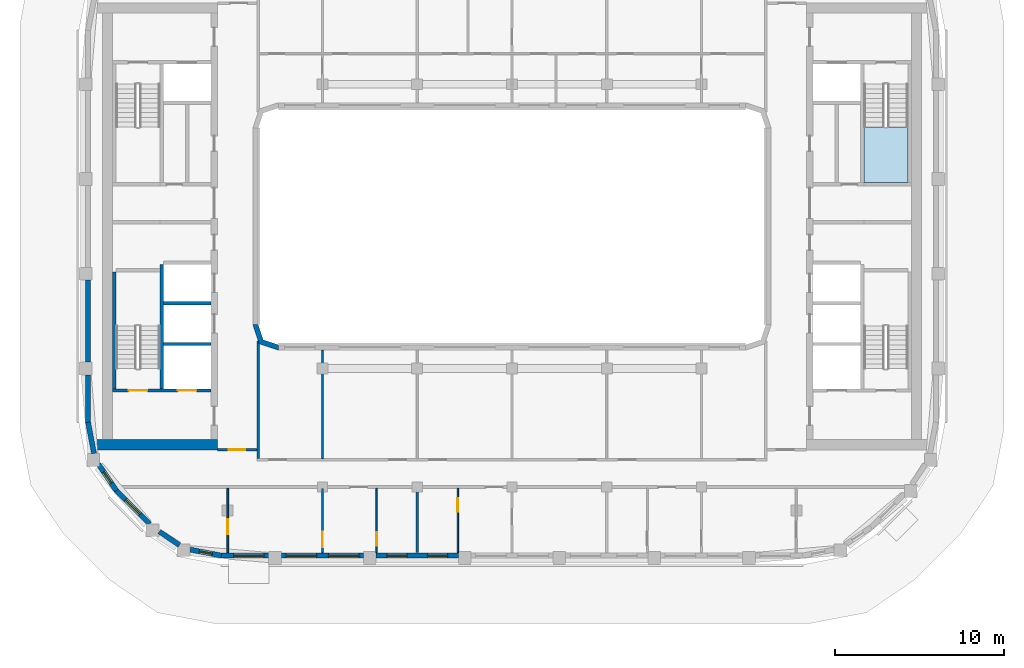
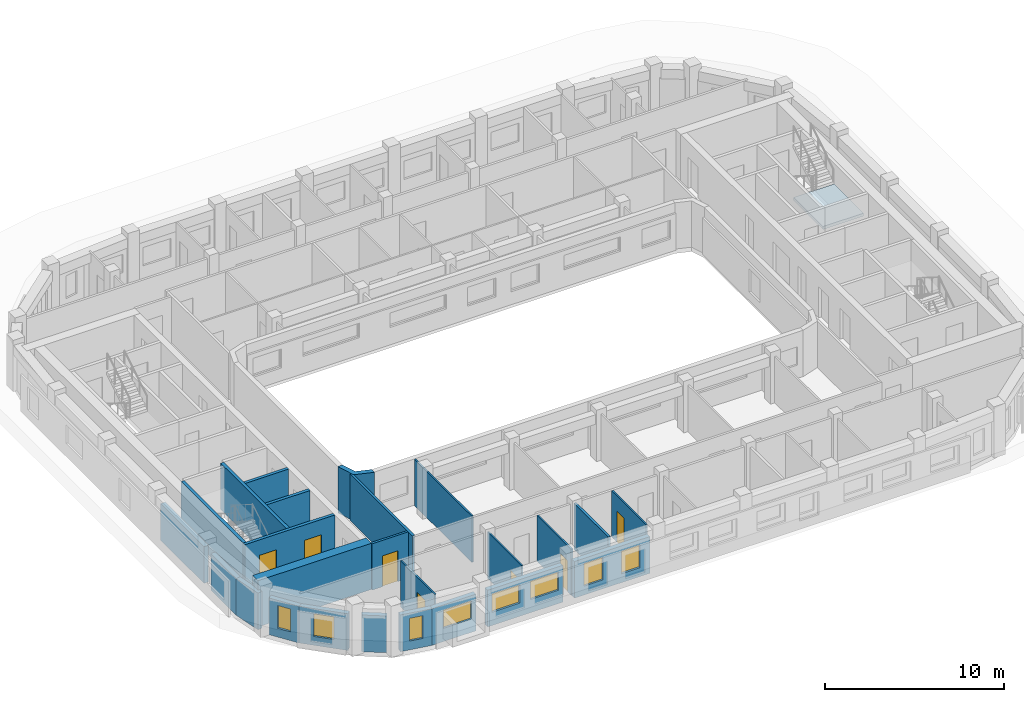
# One storey, part 2 of 14: 25 walls, 8 windows, 7 doors, 1 slab, 15 openings, 1 element without a shape of its own.
"""IFC4 building model written with IfcOpenShell, lengths in metres."""

import ifcopenshell
import ifcopenshell.guid

model = None  # the IFC model being written
_history = None  # IfcOwnerHistory: only IFC2X3 demands one
_inside = {}  # id of a spatial element -> (the spatial element, [elements in it])
_under = {}  # id of a project, library or spatial element -> (it, [spatial elements below it])
_declared = {}  # id of a project -> (the project, [libraries it declares])
_typed = {}  # id of a type object -> (the type object, [elements of that type])
_made_of = {}  # id of a material, layer set ... -> (it, [elements and type objects made of it])


def new_model(schema):
    """Start an empty IFC model of exactly this schema.

    Asked for "IFC4X3", IfcOpenShell would pick the latest addendum, in which some entities
    have other attributes; the version numbers below select the first issue.
    IFC2X3 requires an IfcOwnerHistory on every rooted entity: one is made here for all.
    """
    global model, _history
    if schema == "IFC4X3":
        model = ifcopenshell.file(schema_version=(4, 3, 0, 0))
    else:
        model = ifcopenshell.file(schema=schema)
    _inside.clear()
    _under.clear()
    _declared.clear()
    _typed.clear()
    _made_of.clear()
    _history = None
    if model.schema == "IFC2X3":
        org = make("IfcOrganization", Name="unknown")
        user = make(
            "IfcPersonAndOrganization",
            ThePerson=make("IfcPerson", FamilyName="unknown"),
            TheOrganization=org,
        )
        app = make(
            "IfcApplication",
            ApplicationDeveloper=org,
            Version="unknown",
            ApplicationFullName="unknown",
            ApplicationIdentifier="unknown",
        )
        _history = make(
            "IfcOwnerHistory",
            OwningUser=user,
            OwningApplication=app,
            ChangeAction="ADDED",
            CreationDate=0,
        )
    return model


def make(cls, **values):
    """One entity of the class cls with the attributes given. An attribute that is None is left unset."""
    return model.create_entity(
        cls, **{name: value for name, value in values.items() if value is not None}
    )


def rooted(cls, **values):
    """An entity with a GlobalId (a new one), such as an element, a storey or a relation."""
    return make(cls, GlobalId=ifcopenshell.guid.new(), OwnerHistory=_history, **values)


def si_unit(unit_type, name, prefix=None):
    """IfcSIUnit, for example si_unit("LENGTHUNIT", "METRE", prefix="MILLI")."""
    return make("IfcSIUnit", UnitType=unit_type, Prefix=prefix, Name=name)


def assignment(units):
    """IfcUnitAssignment: the units of a project."""
    return None if units is None else make("IfcUnitAssignment", Units=units)


def point(xyz):
    """IfcCartesianPoint."""
    return None if xyz is None else make("IfcCartesianPoint", Coordinates=xyz)


def direction(xyz):
    """IfcDirection."""
    return None if xyz is None else make("IfcDirection", DirectionRatios=xyz)


def frame(location, z_axis=None, x_axis=None):
    """IfcAxis2Placement3D, a coordinate frame: its origin and axes. An axis left out is left unset."""
    return make(
        "IfcAxis2Placement3D",
        Location=point(location),
        Axis=direction(z_axis),
        RefDirection=direction(x_axis),
    )


def frame_2d(location, x_axis=None):
    """IfcAxis2Placement2D, a coordinate frame in the plane: its origin and x axis."""
    return make(
        "IfcAxis2Placement2D", Location=point(location), RefDirection=direction(x_axis)
    )


def origin():
    """The frame at (0, 0, 0) with its axes left unset."""
    return frame((0.0, 0.0, 0.0))


def place(relative_to, where):
    """IfcLocalPlacement: puts the frame where relative to a parent placement (None: the world)."""
    return make(
        "IfcLocalPlacement", PlacementRelTo=relative_to, RelativePlacement=where
    )


def context(
    kind, dimensions, precision=None, world=None, true_north=None, identifier=None
):
    """IfcGeometricRepresentationContext, for example the 3D "Model" context."""
    return make(
        "IfcGeometricRepresentationContext",
        ContextIdentifier=identifier,
        ContextType=kind,
        CoordinateSpaceDimension=dimensions,
        Precision=precision,
        WorldCoordinateSystem=world,
        TrueNorth=true_north,
    )


def subcontext(parent, identifier, kind, view, scale=None):
    """IfcGeometricRepresentationSubContext, for example "Body" below "Model"."""
    return make(
        "IfcGeometricRepresentationSubContext",
        ContextIdentifier=identifier,
        ContextType=kind,
        ParentContext=parent,
        TargetScale=scale,
        TargetView=view,
    )


def project(units=None, contexts=None):
    """IfcProject with its units and contexts."""
    return rooted(
        "IfcProject",
        Name="project",
        RepresentationContexts=contexts,
        UnitsInContext=assignment(units),
    )


def spatial(cls, under=None, at=None, **own):
    """A site, building, storey or space (cls), placed at a placement, below another one or the project."""
    s = rooted(cls, ObjectPlacement=at, **own)
    if under is not None:
        _under.setdefault(under.id(), (under, []))[1].append(s)
    return s


def polyline(points):
    """IfcPolyline through the points."""
    return make("IfcPolyline", Points=[point(p) for p in points])


def profile(cls, at=None, kind="AREA", **sizes):
    """A parametric profile (cls). Its sizes go by their IFC names, for example OverallWidth=200.0."""
    return make(cls, ProfileType=kind, Position=at, **sizes)


def rectangle(**sizes):
    """IfcRectangleProfileDef."""
    return profile("IfcRectangleProfileDef", **sizes)


def outline(outer, holes=None, kind="AREA"):
    """IfcArbitraryClosedProfileDef: a profile drawn as a closed curve; with holes, ...WithVoids."""
    if holes is None:
        return make("IfcArbitraryClosedProfileDef", ProfileType=kind, OuterCurve=outer)
    return make(
        "IfcArbitraryProfileDefWithVoids",
        ProfileType=kind,
        OuterCurve=outer,
        InnerCurves=holes,
    )


def extrude(swept, where, along, depth):
    """IfcExtrudedAreaSolid: the profile swept, set in the frame where, extruded along a direction by depth."""
    return make(
        "IfcExtrudedAreaSolid",
        SweptArea=swept,
        Position=where,
        ExtrudedDirection=direction(along),
        Depth=depth,
    )


def shape(context_of_items, identifier, shape_type, items):
    """IfcShapeRepresentation: the items that make up one representation, for example the "Body"."""
    return make(
        "IfcShapeRepresentation",
        ContextOfItems=context_of_items,
        RepresentationIdentifier=identifier,
        RepresentationType=shape_type,
        Items=items,
    )


def material(Name=None, Category=None):
    """IfcMaterial."""
    return make("IfcMaterial", Name=Name, Category=Category)


def layer(
    of_material, thickness, ventilated=None, Name=None, Category=None, Priority=None
):
    """IfcMaterialLayer: one layer of a wall or slab, of a material (None: an air gap)."""
    return make(
        "IfcMaterialLayer",
        Material=of_material,
        LayerThickness=thickness,
        IsVentilated=ventilated,
        Name=Name,
        Category=Category,
        Priority=Priority,
    )


def layer_set(layers, Name=None):
    """IfcMaterialLayerSet."""
    return make("IfcMaterialLayerSet", MaterialLayers=layers, LayerSetName=Name)


def made_of(thing, what):
    """Note that an element or type object is made of a material, layer set ...; save() writes the relation."""
    if what is not None:
        _made_of.setdefault(what.id(), (what, []))[1].append(thing)
    return thing


def type_object(cls, material=None, **own):
    """A type object (cls), such as IfcWallType, which elements share."""
    return made_of(rooted(cls, **own), material)


def element(
    cls,
    number,
    at=None,
    inside=None,
    cuts=None,
    type_object=None,
    material=None,
    context=None,
    identifier="Body",
    shape_type=None,
    held_by="IfcProductDefinitionShape",
    body=None,
    shapes=None,
    **own,
):
    """One element of the class cls, such as IfcWall. Its Tag is "e" and its number.

    at: its placement. inside: the storey or other place that contains it. cuts: it is an
    opening in that element (IfcRelVoidsElement). A single representation is given by context,
    identifier, shape_type and body (its items); several are given by shapes. held_by: the class
    of the entity that holds the representations. save() writes the other relations.
    """
    e = rooted(cls, Tag="e%d" % number, ObjectPlacement=at, **own)
    if body is not None:
        shapes = [shape(context, identifier, shape_type, body)]
    if shapes is not None:
        e.Representation = make(held_by, Representations=shapes)
    if inside is not None:
        _inside.setdefault(inside.id(), (inside, []))[1].append(e)
    if cuts is not None:
        rooted(
            "IfcRelVoidsElement", RelatingBuildingElement=cuts, RelatedOpeningElement=e
        )
    if type_object is not None:
        _typed.setdefault(type_object.id(), (type_object, []))[1].append(e)
    return made_of(e, material)


def fill(opening, filler):
    """IfcRelFillsElement: the door or window that sits in an opening."""
    return rooted(
        "IfcRelFillsElement",
        RelatingOpeningElement=opening,
        RelatedBuildingElement=filler,
    )


def aggregate(whole, parts):
    """IfcRelAggregates: a whole, such as a stair, and the parts it consists of."""
    return rooted("IfcRelAggregates", RelatingObject=whole, RelatedObjects=parts)


def save(model, path):
    """Write the relations noted so far, then the file.

    IfcRelAggregates (storeys below a building ...), IfcRelContainedInSpatialStructure (elements
    in a storey), IfcRelDefinesByType, IfcRelAssociatesMaterial and IfcRelDeclares: one each for
    every whole, place, type object, material and project.
    """
    for whole, parts in _under.values():
        aggregate(whole, parts)
    for where, things in _inside.values():
        rooted(
            "IfcRelContainedInSpatialStructure",
            RelatedElements=things,
            RelatingStructure=where,
        )
    for kind, things in _typed.values():
        rooted("IfcRelDefinesByType", RelatedObjects=things, RelatingType=kind)
    for what, things in _made_of.values():
        rooted("IfcRelAssociatesMaterial", RelatedObjects=things, RelatingMaterial=what)
    for by, libraries in _declared.values():
        rooted("IfcRelDeclares", RelatingContext=by, RelatedDefinitions=libraries)
    model.write(path)


model = new_model("IFC4")

# Units and contexts
model_context = context("Model", 3, precision=1e-05, world=origin(), true_north=direction((0.0, 1.0)))
body_context = subcontext(model_context, "Body", "Model", "MODEL_VIEW")
ifc_project = project(units=[si_unit("LENGTHUNIT", "METRE"), si_unit("AREAUNIT", "SQUARE_METRE"), si_unit("VOLUMEUNIT", "CUBIC_METRE"), si_unit("PLANEANGLEUNIT", "RADIAN"), si_unit("MASSUNIT", "GRAM", prefix="KILO")], contexts=[model_context])

# Site, building, storey
site_placement = place(None, origin())
site = spatial("IfcSite", under=ifc_project, at=site_placement, CompositionType="ELEMENT")
building_placement = place(site_placement, origin())
building = spatial("IfcBuilding", under=site, at=building_placement, Name="Kiln Ring Residences", CompositionType="ELEMENT")
storey_placement = place(building_placement, frame((0.0, 0.0, 280.199951171875)))
storey = spatial("IfcBuildingStorey", under=building, at=storey_placement, Name="L73", CompositionType="ELEMENT", Elevation=280.199951171875)

# Stair, slab
ifc_material_1 = material(Name="Concrete C40/50", Category="concrete")
stair_type = type_object("IfcStairType", Name="CORE-STAIR", PredefinedType="HALF_TURN_STAIR", material=ifc_material_1)
placement = place(storey_placement, origin())
stair = element("IfcStair", 1, at=placement, inside=storey, type_object=stair_type, Name="L73 stair E-STN", PredefinedType="HALF_TURN_STAIR")
ifc_material_2 = material(Name="Concrete C40/50", Category="concrete")
ifc_layer_1 = layer(ifc_material_2, 0.199951171875)
ifc_layer_set_1 = layer_set([ifc_layer_1], Name="CORE-STAIR-LANDING")
slab_type = type_object("IfcSlabType", Name="CORE-STAIR-LANDING", PredefinedType="LANDING", material=ifc_layer_set_1)
slab_placement = place(storey_placement, frame((0.0, 0.0, 1.550048828125)))
slab = element("IfcSlab", 2, at=slab_placement, type_object=slab_type, Name="E-STN landing 1", PredefinedType="LANDING", context=body_context, shape_type="SweptSolid", body=[
    extrude(outline(polyline([(20.800048828125, 5.8798828125), (20.800048828125, 2.60009765625), (23.39990234375, 2.60009765625), (23.39990234375, 5.8798828125), (20.800048828125, 5.8798828125)])), origin(), (0.0, 0.0, 1.0), 0.199951171875),
])
aggregate(stair, [slab])

# Walls
ifc_material_3 = material(Name="Gypsum shaft wall system")
ifc_layer_2 = layer(ifc_material_3, 0.199951171875)
ifc_layer_set_2 = layer_set([ifc_layer_2], Name="CORE-SHAFT-WALL-200")
wall_type_1 = type_object("IfcWallType", Name="CORE-SHAFT-WALL-200", PredefinedType="PARTITIONING", material=ifc_layer_set_2)
for number, where, z_axis, x_axis, name in (
    (3, (-17.800048828125, -6.949951171875, 0.0), (0.0, 0.0, 1.0), (-1.0, 0.0, 0.0), "Core partition west L73 3"),
    (4, (-17.800048828125, -4.550048828125, 0.0), (0.0, 0.0, 1.0), (-1.0, 0.0, 0.0), "Core partition west L73 4"),
):
    element("IfcWall", number, at=place(storey_placement, frame(where, z_axis=z_axis, x_axis=x_axis)), inside=storey, type_object=wall_type_1, Name=name, PredefinedType="PARTITIONING", context=body_context, shape_type="SweptSolid", body=[
        extrude(rectangle(XDim=2.800048828125, YDim=0.199951171875, at=frame_2d((1.39990234375, 0.0))), origin(), (0.0, 0.0, 1.0), 3.150146484375),
    ])
ifc_material_4 = material(Name="Concrete C40/50", Category="concrete")
ifc_layer_3 = layer(ifc_material_4, 0.199951171875)
ifc_layer_set_3 = layer_set([ifc_layer_3], Name="CORE-WALL-RC200")
wall_type_2 = type_object("IfcWallType", Name="CORE-WALL-RC200", PredefinedType="SHEAR", material=ifc_layer_set_3)
wall_1_placement = place(storey_placement, frame((-20.699951171875, -9.60009765625, 0.0), z_axis=(0.0, 0.0, 1.0), x_axis=(0.0, 1.0, 0.0)))
element("IfcWall", 5, at=wall_1_placement, inside=storey, type_object=wall_type_2, Name="Core wall west L73 2", PredefinedType="SHEAR", context=body_context, shape_type="SweptSolid", body=[
    extrude(rectangle(XDim=7.35009765625, YDim=0.199951171875, at=frame_2d((3.675048828125, 0.0))), origin(), (0.0, 0.0, 1.0), 3.150146484375),
])

# Wall, openings, doors
wall_2_placement = place(storey_placement, frame((-17.800048828125, -9.699951171875, 0.0), z_axis=(0.0, 0.0, 1.0), x_axis=(-1.0, 0.0, 0.0)))
wall_2 = element("IfcWall", 6, at=wall_2_placement, inside=storey, type_object=wall_type_2, Name="Core wall west L73 8", PredefinedType="SHEAR", context=body_context, shape_type="SweptSolid", body=[
    extrude(rectangle(XDim=5.800048828125, YDim=0.199951171875, at=frame_2d((2.89990234375, 0.0))), origin(), (0.0, 0.0, 1.0), 3.150146484375),
])
opening_1_placement = place(wall_2_placement, frame((0.85009765625, 0.0, 0.0)))
opening_1 = element("IfcOpeningElement", 7, at=opening_1_placement, cuts=wall_2, Name="Opening L73-CW01", PredefinedType="OPENING", context=body_context, shape_type="SweptSolid", body=[
    extrude(rectangle(XDim=1.10009765625, YDim=2.10009765625, at=frame_2d((0.550048828125, 1.050048828125))), frame((0.0, 0.10986328125, 0.0), z_axis=(0.0, -1.0, 0.0), x_axis=(1.0, 0.0, 0.0)), (0.0, 0.0, 1.0), 0.219970703125),
])
opening_2_placement = place(wall_2_placement, frame((3.75, 0.0, 0.0)))
opening_2 = element("IfcOpeningElement", 8, at=opening_2_placement, cuts=wall_2, Name="Opening L73-CW11", PredefinedType="OPENING", context=body_context, shape_type="SweptSolid", body=[
    extrude(rectangle(XDim=1.10009765625, YDim=2.10009765625, at=frame_2d((0.550048828125, 1.050048828125))), frame((0.0, 0.10986328125, 0.0), z_axis=(0.0, -1.0, 0.0), x_axis=(1.0, 0.0, 0.0)), (0.0, 0.0, 1.0), 0.219970703125),
])
ifc_material_5 = material(Name="Steel door leaf", Category="steel")
door_type_1 = type_object("IfcDoorType", Name="CORE-DOOR-LD", OperationType="DOUBLE_DOOR_SLIDING", PredefinedType="DOOR", material=ifc_material_5)
door_1_placement = place(opening_1_placement, origin())
door_1 = element("IfcDoor", 9, at=door_1_placement, inside=storey, type_object=door_type_1, Name="LD W-SV L73-CW01", OperationType="DOUBLE_DOOR_SLIDING", OverallHeight=2.10009765625, OverallWidth=1.10009765625, PredefinedType="DOOR", context=body_context, shape_type="SweptSolid", body=[
    extrude(rectangle(XDim=1.10009765625, YDim=2.10009765625, at=frame_2d((0.550048828125, 1.050048828125))), frame((0.0, 0.02490234375, 0.0), z_axis=(0.0, -1.0, 0.0), x_axis=(1.0, 0.0, 0.0)), (0.0, 0.0, 1.0), 0.050048828125),
])
fill(opening_1, door_1)
ifc_material_6 = material(Name="Steel door leaf", Category="steel")
door_type_2 = type_object("IfcDoorType", Name="CORE-DOOR-STAIR", OperationType="SINGLE_SWING_LEFT", PredefinedType="DOOR", material=ifc_material_6)
door_2_placement = place(opening_2_placement, origin())
door_2 = element("IfcDoor", 10, at=door_2_placement, inside=storey, type_object=door_type_2, Name="Stair W-STS L73-CW11", OperationType="SINGLE_SWING_RIGHT", OverallHeight=2.10009765625, OverallWidth=1.10009765625, PredefinedType="DOOR", context=body_context, shape_type="SweptSolid", body=[
    extrude(rectangle(XDim=1.10009765625, YDim=2.10009765625, at=frame_2d((0.550048828125, 1.050048828125))), frame((0.0, 0.02490234375, 0.0), z_axis=(0.0, -1.0, 0.0), x_axis=(1.0, 0.0, 0.0)), (0.0, 0.0, 1.0), 0.050048828125),
])
fill(opening_2, door_2)

# Walls
wall_3_placement = place(storey_placement, frame((-23.5, -9.60009765625, 0.0), z_axis=(0.0, 0.0, 1.0), x_axis=(0.0, 1.0, 0.0)))
element("IfcWall", 11, at=wall_3_placement, inside=storey, type_object=wall_type_2, Name="Core wall west L73 11", PredefinedType="SHEAR", context=body_context, shape_type="SweptSolid", body=[
    extrude(rectangle(XDim=6.900146484375, YDim=0.199951171875, at=frame_2d((3.4501953125, 0.0))), origin(), (0.0, 0.0, 1.0), 3.150146484375),
])
ifc_material_7 = material(Name="Concrete C60/75", Category="concrete")
ifc_layer_4 = layer(ifc_material_7, 0.60009765625)
ifc_layer_set_4 = layer_set([ifc_layer_4], Name="CORE-WALL-RC600")
wall_type_3 = type_object("IfcWallType", Name="CORE-WALL-RC600", PredefinedType="SHEAR", material=ifc_layer_set_4)
wall_4_placement = place(storey_placement, frame((-17.39990234375, -12.89990234375, 0.0), z_axis=(0.0, 0.0, 1.0), x_axis=(-1.0, 0.0, 0.0)))
element("IfcWall", 12, at=wall_4_placement, inside=storey, type_object=wall_type_3, Name="Core wall west L73 5", PredefinedType="SHEAR", context=body_context, shape_type="SweptSolid", body=[
    extrude(rectangle(XDim=7.320068359375, YDim=0.60009765625, at=frame_2d((3.66015625, 0.0))), origin(), (0.0, 0.0, 1.0), 3.150146484375),
])

# Wall, opening, window
ifc_material_8 = material(Name="Brick masonry, dark clay brick", Category="masonry")
ifc_layer_5 = layer(ifc_material_8, 0.300048828125)
ifc_layer_set_5 = layer_set([ifc_layer_5], Name="EW-300 BRICK WALL")
wall_type_4 = type_object("IfcWallType", Name="EW-300 BRICK WALL", PredefinedType="SOLIDWALL", material=ifc_layer_set_5)
wall_5_placement = place(storey_placement, frame((-23.39697265625, -15.591064453125, 0.0), z_axis=(0.0, 0.0, 1.0), x_axis=(0.707106781187, -0.707106781187, 0.0)))
wall_5 = element("IfcWall", 13, at=wall_5_placement, inside=storey, type_object=wall_type_4, Name="Facade wall L73 1", PredefinedType="SOLIDWALL", context=body_context, shape_type="SweptSolid", body=[
    extrude(rectangle(XDim=2.824951171875, YDim=0.300048828125, at=frame_2d((1.41259765625, 0.0))), origin(), (0.0, 0.0, 1.0), 2.5),
])
opening_3_placement = place(wall_5_placement, frame((0.8125, 0.0, 0.60009765625)))
opening_3 = element("IfcOpeningElement", 14, at=opening_3_placement, cuts=wall_5, Name="Opening W1", PredefinedType="OPENING", context=body_context, shape_type="SweptSolid", body=[
    extrude(rectangle(XDim=1.199951171875, YDim=1.550048828125, at=frame_2d((0.60009765625, 0.77490234375))), frame((0.0, 0.159912109375, 0.0), z_axis=(0.0, -1.0, 0.0), x_axis=(1.0, 0.0, 0.0)), (0.0, 0.0, 1.0), 0.320068359375),
])
ifc_material_9 = material(Name="Aluminium frame with double glazing", Category="aluminium")
window_type_1 = type_object("IfcWindowType", Name="WINDOW 1200 x 1550", PartitioningType="SINGLE_PANEL", PredefinedType="WINDOW", material=ifc_material_9)
window_1_placement = place(opening_3_placement, origin())
window_1 = element("IfcWindow", 15, at=window_1_placement, inside=storey, type_object=window_type_1, Name="Window L73 1", OverallHeight=1.550048828125, OverallWidth=1.199951171875, PartitioningType="SINGLE_PANEL", PredefinedType="WINDOW", context=body_context, shape_type="SweptSolid", body=[
    extrude(rectangle(XDim=1.199951171875, YDim=1.550048828125, at=frame_2d((0.60009765625, 0.77490234375))), frame((0.0, 0.030029296875, 0.0), z_axis=(0.0, -1.0, 0.0), x_axis=(1.0, 0.0, 0.0)), (0.0, 0.0, 1.0), 0.06005859375),
])
fill(opening_3, window_1)

# Wall
wall_6_placement = place(storey_placement, frame((-20.837158203125, -18.0341796875, 0.0), z_axis=(0.0, 0.0, 1.0), x_axis=(0.827095130818, -0.562061957952, 0.0)))
element("IfcWall", 16, at=wall_6_placement, inside=storey, type_object=wall_type_4, Name="Facade wall L73 2", PredefinedType="SOLIDWALL", context=body_context, shape_type="SweptSolid", body=[
    extrude(rectangle(XDim=1.427001953125, YDim=0.300048828125, at=frame_2d((0.71337890625, 0.0))), origin(), (0.0, 0.0, 1.0), 2.5),
])

# Wall, opening, window
wall_7_placement = place(storey_placement, frame((-19.019775390625, -19.10009765625, 0.0), z_axis=(0.0, 0.0, 1.0), x_axis=(0.982284001233, -0.187398348234, 0.0)))
wall_7 = element("IfcWall", 17, at=wall_7_placement, inside=storey, type_object=wall_type_4, Name="Facade wall L73 3", PredefinedType="SOLIDWALL", context=body_context, shape_type="SweptSolid", body=[
    extrude(rectangle(XDim=1.88134765625, YDim=0.300048828125, at=frame_2d((0.940673828125, 0.0))), origin(), (0.0, 0.0, 1.0), 2.5),
])
opening_4_placement = place(wall_7_placement, frame((0.54052734375, 0.0, 0.60009765625)))
opening_4 = element("IfcOpeningElement", 18, at=opening_4_placement, cuts=wall_7, Name="Opening W5", PredefinedType="OPENING", context=body_context, shape_type="SweptSolid", body=[
    extrude(rectangle(XDim=0.800048828125, YDim=1.550048828125, at=frame_2d((0.39990234375, 0.77490234375))), frame((0.0, 0.159912109375, 0.0), z_axis=(0.0, -1.0, 0.0), x_axis=(1.0, 0.0, 0.0)), (0.0, 0.0, 1.0), 0.320068359375),
])
ifc_material_10 = material(Name="Aluminium frame with double glazing", Category="aluminium")
window_type_2 = type_object("IfcWindowType", Name="WINDOW 800 x 1550", PartitioningType="SINGLE_PANEL", PredefinedType="WINDOW", material=ifc_material_10)
window_2_placement = place(opening_4_placement, origin())
window_2 = element("IfcWindow", 19, at=window_2_placement, inside=storey, type_object=window_type_2, Name="Window L73 2", OverallHeight=1.550048828125, OverallWidth=0.800048828125, PartitioningType="SINGLE_PANEL", PredefinedType="WINDOW", context=body_context, shape_type="SweptSolid", body=[
    extrude(rectangle(XDim=0.800048828125, YDim=1.550048828125, at=frame_2d((0.39990234375, 0.77490234375))), frame((0.0, 0.030029296875, 0.0), z_axis=(0.0, -1.0, 0.0), x_axis=(1.0, 0.0, 0.0)), (0.0, 0.0, 1.0), 0.06005859375),
])
fill(opening_4, window_2)

wall_8_placement = place(storey_placement, frame((-17.199951171875, -19.449951171875, 0.0), z_axis=(0.0, 0.0, 1.0), x_axis=(1.0, 0.0, 0.0)))
wall_8 = element("IfcWall", 20, at=wall_8_placement, inside=storey, type_object=wall_type_4, Name="Facade wall L73 4", PredefinedType="SOLIDWALL", context=body_context, shape_type="SweptSolid", body=[
    extrude(rectangle(XDim=2.824951171875, YDim=0.300048828125, at=frame_2d((1.41259765625, 0.0))), origin(), (0.0, 0.0, 1.0), 2.5),
])
opening_5_placement = place(wall_8_placement, frame((0.75, 0.0, 0.89990234375)))
opening_5 = element("IfcOpeningElement", 21, at=opening_5_placement, cuts=wall_8, Name="Opening W2", PredefinedType="OPENING", context=body_context, shape_type="SweptSolid", body=[
    extrude(rectangle(XDim=1.800048828125, YDim=1.25, at=frame_2d((0.89990234375, 0.625))), frame((0.0, 0.159912109375, 0.0), z_axis=(0.0, -1.0, 0.0), x_axis=(1.0, 0.0, 0.0)), (0.0, 0.0, 1.0), 0.320068359375),
])
ifc_material_11 = material(Name="Aluminium frame with double glazing", Category="aluminium")
window_type_3 = type_object("IfcWindowType", Name="WINDOW 1800 x 1250", PartitioningType="SINGLE_PANEL", PredefinedType="WINDOW", material=ifc_material_11)
window_3_placement = place(opening_5_placement, origin())
window_3 = element("IfcWindow", 22, at=window_3_placement, inside=storey, type_object=window_type_3, Name="Window L73 3", OverallHeight=1.25, OverallWidth=1.800048828125, PartitioningType="SINGLE_PANEL", PredefinedType="WINDOW", context=body_context, shape_type="SweptSolid", body=[
    extrude(rectangle(XDim=1.800048828125, YDim=1.25, at=frame_2d((0.89990234375, 0.625))), frame((0.0, 0.030029296875, 0.0), z_axis=(0.0, -1.0, 0.0), x_axis=(1.0, 0.0, 0.0)), (0.0, 0.0, 1.0), 0.06005859375),
])
fill(opening_5, window_3)

# Wall, openings, windows
wall_9_placement = place(storey_placement, frame((-13.625, -19.449951171875, 0.0), z_axis=(0.0, 0.0, 1.0), x_axis=(1.0, 0.0, 0.0)))
wall_9 = element("IfcWall", 23, at=wall_9_placement, inside=storey, type_object=wall_type_4, Name="Facade wall L73 5", PredefinedType="SOLIDWALL", context=body_context, shape_type="SweptSolid", body=[
    extrude(rectangle(XDim=4.85009765625, YDim=0.300048828125, at=frame_2d((2.425048828125, 0.0))), origin(), (0.0, 0.0, 1.0), 2.5),
])
opening_6_placement = place(wall_9_placement, frame((0.27490234375, 0.0, 0.89990234375)))
opening_6 = element("IfcOpeningElement", 24, at=opening_6_placement, cuts=wall_9, Name="Opening W2", PredefinedType="OPENING", context=body_context, shape_type="SweptSolid", body=[
    extrude(rectangle(XDim=1.800048828125, YDim=1.25, at=frame_2d((0.89990234375, 0.625))), frame((0.0, 0.159912109375, 0.0), z_axis=(0.0, -1.0, 0.0), x_axis=(1.0, 0.0, 0.0)), (0.0, 0.0, 1.0), 0.320068359375),
])
opening_7_placement = place(wall_9_placement, frame((2.77490234375, 0.0, 0.89990234375)))
opening_7 = element("IfcOpeningElement", 25, at=opening_7_placement, cuts=wall_9, Name="Opening W2", PredefinedType="OPENING", context=body_context, shape_type="SweptSolid", body=[
    extrude(rectangle(XDim=1.800048828125, YDim=1.25, at=frame_2d((0.89990234375, 0.625))), frame((0.0, 0.159912109375, 0.0), z_axis=(0.0, -1.0, 0.0), x_axis=(1.0, 0.0, 0.0)), (0.0, 0.0, 1.0), 0.320068359375),
])
window_4_placement = place(opening_6_placement, origin())
window_4 = element("IfcWindow", 26, at=window_4_placement, inside=storey, type_object=window_type_3, Name="Window L73 4", OverallHeight=1.25, OverallWidth=1.800048828125, PartitioningType="SINGLE_PANEL", PredefinedType="WINDOW", context=body_context, shape_type="SweptSolid", body=[
    extrude(rectangle(XDim=1.800048828125, YDim=1.25, at=frame_2d((0.89990234375, 0.625))), frame((0.0, 0.030029296875, 0.0), z_axis=(0.0, -1.0, 0.0), x_axis=(1.0, 0.0, 0.0)), (0.0, 0.0, 1.0), 0.06005859375),
])
fill(opening_6, window_4)
window_5_placement = place(opening_7_placement, origin())
window_5 = element("IfcWindow", 27, at=window_5_placement, inside=storey, type_object=window_type_3, Name="Window L73 5", OverallHeight=1.25, OverallWidth=1.800048828125, PartitioningType="SINGLE_PANEL", PredefinedType="WINDOW", context=body_context, shape_type="SweptSolid", body=[
    extrude(rectangle(XDim=1.800048828125, YDim=1.25, at=frame_2d((0.89990234375, 0.625))), frame((0.0, 0.030029296875, 0.0), z_axis=(0.0, -1.0, 0.0), x_axis=(1.0, 0.0, 0.0)), (0.0, 0.0, 1.0), 0.06005859375),
])
fill(opening_7, window_5)

wall_10_placement = place(storey_placement, frame((-8.02490234375, -19.449951171875, 0.0), z_axis=(0.0, 0.0, 1.0), x_axis=(1.0, 0.0, 0.0)))
wall_10 = element("IfcWall", 28, at=wall_10_placement, inside=storey, type_object=wall_type_4, Name="Facade wall L73 6", PredefinedType="SOLIDWALL", context=body_context, shape_type="SweptSolid", body=[
    extrude(rectangle(XDim=4.849853515625, YDim=0.300048828125, at=frame_2d((2.4248046875, 0.0))), origin(), (0.0, 0.0, 1.0), 2.5),
])
opening_8_placement = place(wall_10_placement, frame((0.625, 0.0, 0.60009765625)))
opening_8 = element("IfcOpeningElement", 29, at=opening_8_placement, cuts=wall_10, Name="Opening W1", PredefinedType="OPENING", context=body_context, shape_type="SweptSolid", body=[
    extrude(rectangle(XDim=1.199951171875, YDim=1.550048828125, at=frame_2d((0.60009765625, 0.77490234375))), frame((0.0, 0.159912109375, 0.0), z_axis=(0.0, -1.0, 0.0), x_axis=(1.0, 0.0, 0.0)), (0.0, 0.0, 1.0), 0.320068359375),
])
opening_9_placement = place(wall_10_placement, frame((3.02490234375, 0.0, 0.60009765625)))
opening_9 = element("IfcOpeningElement", 30, at=opening_9_placement, cuts=wall_10, Name="Opening W1", PredefinedType="OPENING", context=body_context, shape_type="SweptSolid", body=[
    extrude(rectangle(XDim=1.199951171875, YDim=1.550048828125, at=frame_2d((0.60009765625, 0.77490234375))), frame((0.0, 0.159912109375, 0.0), z_axis=(0.0, -1.0, 0.0), x_axis=(1.0, 0.0, 0.0)), (0.0, 0.0, 1.0), 0.320068359375),
])
window_6_placement = place(opening_8_placement, origin())
window_6 = element("IfcWindow", 31, at=window_6_placement, inside=storey, type_object=window_type_1, Name="Window L73 6", OverallHeight=1.550048828125, OverallWidth=1.199951171875, PartitioningType="SINGLE_PANEL", PredefinedType="WINDOW", context=body_context, shape_type="SweptSolid", body=[
    extrude(rectangle(XDim=1.199951171875, YDim=1.550048828125, at=frame_2d((0.60009765625, 0.77490234375))), frame((0.0, 0.030029296875, 0.0), z_axis=(0.0, -1.0, 0.0), x_axis=(1.0, 0.0, 0.0)), (0.0, 0.0, 1.0), 0.06005859375),
])
fill(opening_8, window_6)
window_7_placement = place(opening_9_placement, origin())
window_7 = element("IfcWindow", 32, at=window_7_placement, inside=storey, type_object=window_type_1, Name="Window L73 7", OverallHeight=1.550048828125, OverallWidth=1.199951171875, PartitioningType="SINGLE_PANEL", PredefinedType="WINDOW", context=body_context, shape_type="SweptSolid", body=[
    extrude(rectangle(XDim=1.199951171875, YDim=1.550048828125, at=frame_2d((0.60009765625, 0.77490234375))), frame((0.0, 0.030029296875, 0.0), z_axis=(0.0, -1.0, 0.0), x_axis=(1.0, 0.0, 0.0)), (0.0, 0.0, 1.0), 0.06005859375),
])
fill(opening_9, window_7)

# Walls
wall_11_placement = place(storey_placement, frame((-25.050048828125, -3.175048828125, 0.0), z_axis=(0.0, 0.0, 1.0), x_axis=(0.0, -1.0, 0.0)))
element("IfcWall", 33, at=wall_11_placement, inside=storey, type_object=wall_type_4, Name="Facade wall L73 41", PredefinedType="SOLIDWALL", context=body_context, shape_type="SweptSolid", body=[
    extrude(rectangle(XDim=4.849853515625, YDim=0.300048828125, at=frame_2d((2.4248046875, 0.0))), origin(), (0.0, 0.0, 1.0), 2.5),
])
wall_12_placement = place(storey_placement, frame((-25.050048828125, -8.77490234375, 0.0), z_axis=(0.0, 0.0, 1.0), x_axis=(0.0, -1.0, 0.0)))
element("IfcWall", 34, at=wall_12_placement, inside=storey, type_object=wall_type_4, Name="Facade wall L73 42", PredefinedType="SOLIDWALL", context=body_context, shape_type="SweptSolid", body=[
    extrude(rectangle(XDim=2.8251953125, YDim=0.300048828125, at=frame_2d((1.41259765625, 0.0))), origin(), (0.0, 0.0, 1.0), 2.5),
])
wall_13_placement = place(storey_placement, frame((-25.052734375, -11.57177734375, 0.0), z_axis=(0.0, 0.0, 1.0), x_axis=(0.187398348234, -0.982284001233, 0.0)))
element("IfcWall", 35, at=wall_13_placement, inside=storey, type_object=wall_type_4, Name="Facade wall L73 43", PredefinedType="SOLIDWALL", context=body_context, shape_type="SweptSolid", body=[
    extrude(rectangle(XDim=1.88134765625, YDim=0.300048828125, at=frame_2d((0.940673828125, 0.0))), origin(), (0.0, 0.0, 1.0), 2.5),
])

# Wall, opening, window
wall_14_placement = place(storey_placement, frame((-24.436279296875, -14.056884765625, 0.0), z_axis=(0.0, 0.0, 1.0), x_axis=(0.562075713892, -0.827085782645, 0.0)))
wall_14 = element("IfcWall", 36, at=wall_14_placement, inside=storey, type_object=wall_type_4, Name="Facade wall L73 44", PredefinedType="SOLIDWALL", context=body_context, shape_type="SweptSolid", body=[
    extrude(rectangle(XDim=1.881103515625, YDim=0.300048828125, at=frame_2d((0.9404296875, 0.0))), origin(), (0.0, 0.0, 1.0), 2.5),
])
opening_10_placement = place(wall_14_placement, frame((0.54052734375, 0.0, 0.60009765625)))
opening_10 = element("IfcOpeningElement", 37, at=opening_10_placement, cuts=wall_14, Name="Opening W5", PredefinedType="OPENING", context=body_context, shape_type="SweptSolid", body=[
    extrude(rectangle(XDim=0.800048828125, YDim=1.550048828125, at=frame_2d((0.39990234375, 0.77490234375))), frame((0.0, 0.159912109375, 0.0), z_axis=(0.0, -1.0, 0.0), x_axis=(1.0, 0.0, 0.0)), (0.0, 0.0, 1.0), 0.320068359375),
])
window_8_placement = place(opening_10_placement, origin())
window_8 = element("IfcWindow", 38, at=window_8_placement, inside=storey, type_object=window_type_2, Name="Window L73 36", OverallHeight=1.550048828125, OverallWidth=0.800048828125, PartitioningType="SINGLE_PANEL", PredefinedType="WINDOW", context=body_context, shape_type="SweptSolid", body=[
    extrude(rectangle(XDim=0.800048828125, YDim=1.550048828125, at=frame_2d((0.39990234375, 0.77490234375))), frame((0.0, 0.030029296875, 0.0), z_axis=(0.0, -1.0, 0.0), x_axis=(1.0, 0.0, 0.0)), (0.0, 0.0, 1.0), 0.06005859375),
])
fill(opening_10, window_8)

# Wall
element("IfcWall", 39, at=placement, inside=storey, type_object=wall_type_4, Name="Corner wall L73 4", PredefinedType="SOLIDWALL", context=body_context, shape_type="SweptSolid", body=[
    extrude(outline(polyline([(-14.937255859375, -6.937255859375), (-13.8486328125, -7.300048828125), (-13.800048828125, -7.300048828125), (-13.800048828125, -7.0), (-14.699951171875, -6.699951171875), (-15.0, -5.800048828125), (-15.300048828125, -5.800048828125), (-15.300048828125, -5.8486328125), (-14.937255859375, -6.937255859375)])), origin(), (0.0, 0.0, 1.0), 3.150146484375),
])

# Wall, opening, door
ifc_material_12 = material(Name="Gypsum board on steel studs", Category="steel")
ifc_layer_6 = layer(ifc_material_12, 0.10009765625)
ifc_layer_set_6 = layer_set([ifc_layer_6], Name="PARTITION-100")
wall_type_5 = type_object("IfcWallType", Name="PARTITION-100", PredefinedType="PARTITIONING", material=ifc_layer_set_6)
wall_16_placement = place(storey_placement, frame((-16.800048828125, -19.280029296875, 0.0), z_axis=(0.0, 0.0, 1.0), x_axis=(0.0, 1.0, 0.0)))
wall_16 = element("IfcWall", 40, at=wall_16_placement, inside=storey, type_object=wall_type_5, Name="Partition 009", PredefinedType="PARTITIONING", context=body_context, shape_type="SweptSolid", body=[
    extrude(rectangle(XDim=3.804931640625, YDim=0.10009765625, at=frame_2d((1.90234375, 0.0))), origin(), (0.0, 0.0, 1.0), 3.150146484375),
])
opening_11_placement = place(wall_16_placement, frame((1.0791015625, 0.0, 0.0)))
opening_11 = element("IfcOpeningElement", 41, at=opening_11_placement, cuts=wall_16, Name="Opening L73-D039", PredefinedType="OPENING", context=body_context, shape_type="SweptSolid", body=[
    extrude(rectangle(XDim=0.89990234375, YDim=2.10009765625, at=frame_2d((0.449951171875, 1.050048828125))), frame((0.0, 0.06005859375, 0.0), z_axis=(0.0, -1.0, 0.0), x_axis=(1.0, 0.0, 0.0)), (0.0, 0.0, 1.0), 0.1201171875),
])
ifc_material_13 = material(Name="Timber door leaf", Category="wood")
door_type_3 = type_object("IfcDoorType", Name="FLAT-DOOR-900-PL", OperationType="SINGLE_SWING_LEFT", PredefinedType="DOOR", material=ifc_material_13)
door_3_placement = place(opening_11_placement, origin())
door_3 = element("IfcDoor", 42, at=door_3_placement, inside=storey, type_object=door_type_3, Name="Door L73-D039", OperationType="SINGLE_SWING_RIGHT", OverallHeight=2.10009765625, OverallWidth=0.89990234375, PredefinedType="DOOR", context=body_context, shape_type="SweptSolid", body=[
    extrude(rectangle(XDim=0.89990234375, YDim=2.10009765625, at=frame_2d((0.449951171875, 1.050048828125))), frame((0.0, 0.02490234375, 0.0), z_axis=(0.0, -1.0, 0.0), x_axis=(1.0, 0.0, 0.0)), (0.0, 0.0, 1.0), 0.050048828125),
])
fill(opening_11, door_3)

wall_17_placement = place(storey_placement, frame((-11.199951171875, -19.280029296875, 0.0), z_axis=(0.0, 0.0, 1.0), x_axis=(0.0, 1.0, 0.0)))
wall_17 = element("IfcWall", 43, at=wall_17_placement, inside=storey, type_object=wall_type_5, Name="Partition 013", PredefinedType="PARTITIONING", context=body_context, shape_type="SweptSolid", body=[
    extrude(rectangle(XDim=3.804931640625, YDim=0.10009765625, at=frame_2d((1.90234375, 0.0))), origin(), (0.0, 0.0, 1.0), 3.150146484375),
])
opening_12_placement = place(wall_17_placement, frame((0.3291015625, 0.0, 0.0)))
opening_12 = element("IfcOpeningElement", 44, at=opening_12_placement, cuts=wall_17, Name="Opening L73-D038", PredefinedType="OPENING", context=body_context, shape_type="SweptSolid", body=[
    extrude(rectangle(XDim=0.89990234375, YDim=2.10009765625, at=frame_2d((0.449951171875, 1.050048828125))), frame((0.0, 0.06005859375, 0.0), z_axis=(0.0, -1.0, 0.0), x_axis=(1.0, 0.0, 0.0)), (0.0, 0.0, 1.0), 0.1201171875),
])
door_4_placement = place(opening_12_placement, origin())
door_4 = element("IfcDoor", 45, at=door_4_placement, inside=storey, type_object=door_type_3, Name="Door L73-D038", OperationType="SINGLE_SWING_RIGHT", OverallHeight=2.10009765625, OverallWidth=0.89990234375, PredefinedType="DOOR", context=body_context, shape_type="SweptSolid", body=[
    extrude(rectangle(XDim=0.89990234375, YDim=2.10009765625, at=frame_2d((0.449951171875, 1.050048828125))), frame((0.0, 0.02490234375, 0.0), z_axis=(0.0, -1.0, 0.0), x_axis=(1.0, 0.0, 0.0)), (0.0, 0.0, 1.0), 0.050048828125),
])
fill(opening_12, door_4)

# Wall
wall_18_placement = place(storey_placement, frame((-11.199951171875, -13.72509765625, 0.0), z_axis=(0.0, 0.0, 1.0), x_axis=(0.0, 1.0, 0.0)))
element("IfcWall", 46, at=wall_18_placement, inside=storey, type_object=wall_type_5, Name="Partition 014", PredefinedType="PARTITIONING", context=body_context, shape_type="SweptSolid", body=[
    extrude(rectangle(XDim=6.405029296875, YDim=0.10009765625, at=frame_2d((3.20263671875, 0.0))), origin(), (0.0, 0.0, 1.0), 3.150146484375),
])

# Wall, opening, door
wall_19_placement = place(storey_placement, frame((-8.0, -19.280029296875, 0.0), z_axis=(0.0, 0.0, 1.0), x_axis=(0.0, 1.0, 0.0)))
wall_19 = element("IfcWall", 47, at=wall_19_placement, inside=storey, type_object=wall_type_5, Name="Partition 018", PredefinedType="PARTITIONING", context=body_context, shape_type="SweptSolid", body=[
    extrude(rectangle(XDim=3.804931640625, YDim=0.10009765625, at=frame_2d((1.90234375, 0.0))), origin(), (0.0, 0.0, 1.0), 3.150146484375),
])
opening_13_placement = place(wall_19_placement, frame((0.419921875, 0.0, 0.0)))
opening_13 = element("IfcOpeningElement", 48, at=opening_13_placement, cuts=wall_19, Name="Opening L73-D037", PredefinedType="OPENING", context=body_context, shape_type="SweptSolid", body=[
    extrude(rectangle(XDim=0.800048828125, YDim=2.10009765625, at=frame_2d((0.39990234375, 1.050048828125))), frame((0.0, 0.06005859375, 0.0), z_axis=(0.0, -1.0, 0.0), x_axis=(1.0, 0.0, 0.0)), (0.0, 0.0, 1.0), 0.1201171875),
])
ifc_material_14 = material(Name="Timber door leaf", Category="wood")
door_type_4 = type_object("IfcDoorType", Name="FLAT-DOOR-800-PL", OperationType="SINGLE_SWING_LEFT", PredefinedType="DOOR", material=ifc_material_14)
door_5_placement = place(opening_13_placement, origin())
door_5 = element("IfcDoor", 49, at=door_5_placement, inside=storey, type_object=door_type_4, Name="Door L73-D037", OperationType="SINGLE_SWING_LEFT", OverallHeight=2.10009765625, OverallWidth=0.800048828125, PredefinedType="DOOR", context=body_context, shape_type="SweptSolid", body=[
    extrude(rectangle(XDim=0.800048828125, YDim=2.10009765625, at=frame_2d((0.39990234375, 1.050048828125))), frame((0.0, 0.02490234375, 0.0), z_axis=(0.0, -1.0, 0.0), x_axis=(1.0, 0.0, 0.0)), (0.0, 0.0, 1.0), 0.050048828125),
])
fill(opening_13, door_5)

wall_20_placement = place(storey_placement, frame((-3.199951171875, -19.280029296875, 0.0), z_axis=(0.0, 0.0, 1.0), x_axis=(0.0, 1.0, 0.0)))
wall_20 = element("IfcWall", 50, at=wall_20_placement, inside=storey, type_object=wall_type_5, Name="Partition 025", PredefinedType="PARTITIONING", context=body_context, shape_type="SweptSolid", body=[
    extrude(rectangle(XDim=3.804931640625, YDim=0.10009765625, at=frame_2d((1.90234375, 0.0))), origin(), (0.0, 0.0, 1.0), 3.150146484375),
])
opening_14_placement = place(wall_20_placement, frame((2.428955078125, 0.0, 0.0)))
opening_14 = element("IfcOpeningElement", 51, at=opening_14_placement, cuts=wall_20, Name="Opening L73-D041", PredefinedType="OPENING", context=body_context, shape_type="SweptSolid", body=[
    extrude(rectangle(XDim=0.800048828125, YDim=2.10009765625, at=frame_2d((0.39990234375, 1.050048828125))), frame((0.0, 0.06005859375, 0.0), z_axis=(0.0, -1.0, 0.0), x_axis=(1.0, 0.0, 0.0)), (0.0, 0.0, 1.0), 0.1201171875),
])
door_6_placement = place(opening_14_placement, origin())
door_6 = element("IfcDoor", 52, at=door_6_placement, inside=storey, type_object=door_type_4, Name="Door L73-D041", OperationType="SINGLE_SWING_LEFT", OverallHeight=2.10009765625, OverallWidth=0.800048828125, PredefinedType="DOOR", context=body_context, shape_type="SweptSolid", body=[
    extrude(rectangle(XDim=0.800048828125, YDim=2.10009765625, at=frame_2d((0.39990234375, 1.050048828125))), frame((0.0, 0.02490234375, 0.0), z_axis=(0.0, -1.0, 0.0), x_axis=(1.0, 0.0, 0.0)), (0.0, 0.0, 1.0), 0.050048828125),
])
fill(opening_14, door_6)

ifc_material_15 = material(Name="Brick masonry partition", Category="masonry")
ifc_layer_7 = layer(ifc_material_15, 0.14990234375)
ifc_layer_set_7 = layer_set([ifc_layer_7], Name="PARTITION-150-ei60")
wall_type_6 = type_object("IfcWallType", Name="PARTITION-150-ei60", PredefinedType="PARTITIONING", material=ifc_layer_set_7)
wall_21_placement = place(storey_placement, frame((-17.39990234375, -13.199951171875, 0.0), z_axis=(0.0, 0.0, 1.0), x_axis=(1.0, 0.0, 0.0)))
wall_21 = element("IfcWall", 53, at=wall_21_placement, inside=storey, type_object=wall_type_6, Name="Partition 002", PredefinedType="PARTITIONING", context=body_context, shape_type="SweptSolid", body=[
    extrude(rectangle(XDim=2.324951171875, YDim=0.14990234375, at=frame_2d((1.16259765625, 0.0))), origin(), (0.0, 0.0, 1.0), 3.150146484375),
])
opening_15_placement = place(wall_21_placement, frame((0.64990234375, 0.0, 0.0)))
opening_15 = element("IfcOpeningElement", 54, at=opening_15_placement, cuts=wall_21, Name="Opening L73-D003", PredefinedType="OPENING", context=body_context, shape_type="SweptSolid", body=[
    extrude(rectangle(XDim=1.0, YDim=2.10009765625, at=frame_2d((0.5, 1.050048828125))), frame((0.0, 0.0849609375, 0.0), z_axis=(0.0, -1.0, 0.0), x_axis=(1.0, 0.0, 0.0)), (0.0, 0.0, 1.0), 0.169921875),
])
ifc_material_16 = material(Name="Steel faced fire door leaf", Category="steel")
door_type_5 = type_object("IfcDoorType", Name="FLAT-DOOR-1000-FR", OperationType="SINGLE_SWING_LEFT", PredefinedType="DOOR", material=ifc_material_16)
door_7_placement = place(opening_15_placement, origin())
door_7 = element("IfcDoor", 55, at=door_7_placement, inside=storey, type_object=door_type_5, Name="Door L73-D003", OperationType="SINGLE_SWING_RIGHT", OverallHeight=2.10009765625, OverallWidth=1.0, PredefinedType="DOOR", context=body_context, shape_type="SweptSolid", body=[
    extrude(rectangle(XDim=1.0, YDim=2.10009765625, at=frame_2d((0.5, 1.050048828125))), frame((0.0, 0.02490234375, 0.0), z_axis=(0.0, -1.0, 0.0), x_axis=(1.0, 0.0, 0.0)), (0.0, 0.0, 1.0), 0.050048828125),
])
fill(opening_15, door_7)

# Walls
wall_22_placement = place(storey_placement, frame((-15.0, -13.72509765625, 0.0), z_axis=(0.0, 0.0, 1.0), x_axis=(0.0, 1.0, 0.0)))
element("IfcWall", 56, at=wall_22_placement, inside=storey, type_object=wall_type_6, Name="Partition 011", PredefinedType="PARTITIONING", context=body_context, shape_type="SweptSolid", body=[
    extrude(rectangle(XDim=6.956298828125, YDim=0.14990234375, at=frame_2d((3.47802734375, 0.0))), origin(), (0.0, 0.0, 1.0), 3.150146484375),
])
wall_23_placement = place(storey_placement, frame((-5.60009765625, -19.280029296875, 0.0), z_axis=(0.0, 0.0, 1.0), x_axis=(0.0, 1.0, 0.0)))
element("IfcWall", 57, at=wall_23_placement, inside=storey, type_object=wall_type_6, Name="Partition 021", PredefinedType="PARTITIONING", context=body_context, shape_type="SweptSolid", body=[
    extrude(rectangle(XDim=3.804931640625, YDim=0.14990234375, at=frame_2d((1.90234375, 0.0))), origin(), (0.0, 0.0, 1.0), 3.150146484375),
])

save(model, "model.ifc")
